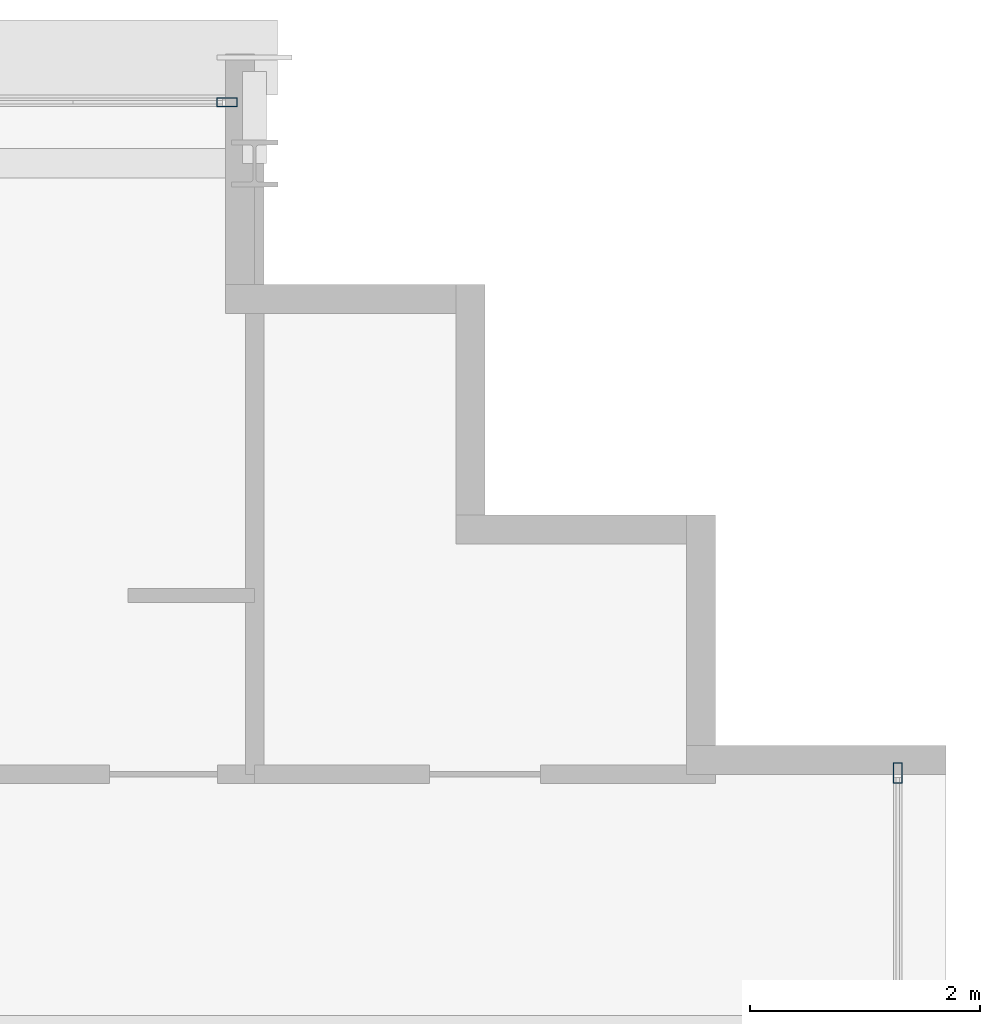
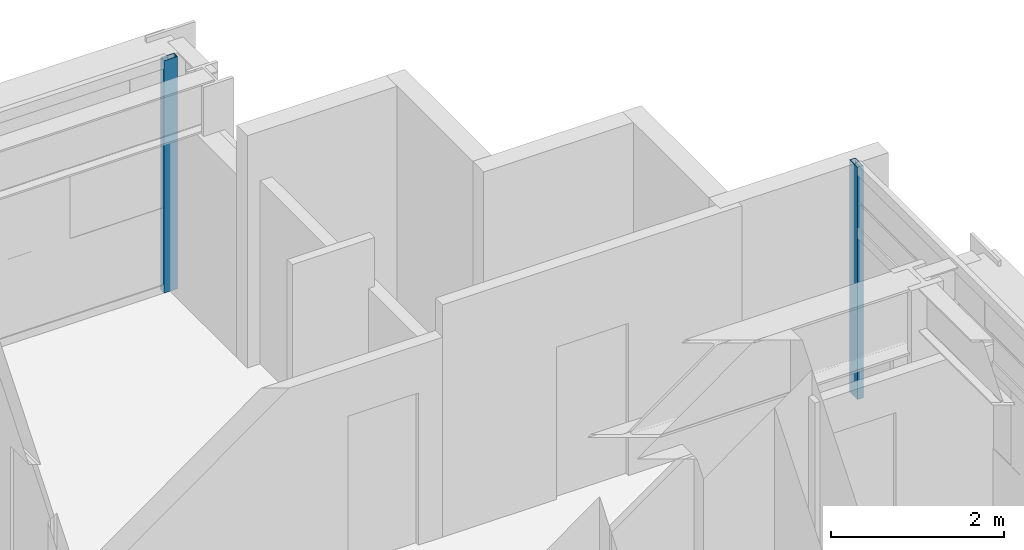
# One storey, part 19 of 32: 2 members, 2 elements without a shape of their own.
"""IFC4 building model written with IfcOpenShell, lengths in metres."""

from ifc_helpers import new_model, si_unit, direction, frame, origin, origin_2d, place, context, subcontext, project, spatial, hollow_rectangle, extrude, source, transform, mapped, material, layer, layer_set, material_profile, profile_set, type_object, element, aggregate, save


model = new_model("IFC4")

# Units and contexts
model_context = context("Model", 3, precision=1e-05, world=origin(), true_north=direction((0.0, 1.0)))
body_context = subcontext(model_context, "Body", "Model", "MODEL_VIEW")
ifc_project = project(units=[si_unit("LENGTHUNIT", "METRE"), si_unit("AREAUNIT", "SQUARE_METRE"), si_unit("VOLUMEUNIT", "CUBIC_METRE"), si_unit("PLANEANGLEUNIT", "RADIAN"), si_unit("MASSUNIT", "GRAM", prefix="KILO")], contexts=[model_context])

# Site, building, storey
site_placement = place(None, origin())
site = spatial("IfcSite", under=ifc_project, at=site_placement, CompositionType="ELEMENT")
building_placement = place(site_placement, origin())
building = spatial("IfcBuilding", under=site, at=building_placement, Name="Ocotamira Hotel", CompositionType="ELEMENT")
storey_placement = place(building_placement, frame((0.0, 0.0, 217.199951171875)))
storey = spatial("IfcBuildingStorey", under=building, at=storey_placement, Name="L55", CompositionType="ELEMENT", Elevation=217.199951171875)

# Curtain wall, member
ifc_material_1 = material(Name="Anodised pale-metal aluminium and solar glass", Category="aluminium")
ifc_layer = layer(ifc_material_1, 0.199951171875)
ifc_layer_set = layer_set([ifc_layer], Name="Anodised pale-metal aluminium and solar glass")
curtain_wall_type = type_object("IfcCurtainWallType", Name="CW-SYS4-Z3", PredefinedType="NOTDEFINED", material=ifc_layer_set)
curtain_wall_1_placement = place(storey_placement, origin())
curtain_wall_1 = element("IfcCurtainWall", 1, at=curtain_wall_1_placement, inside=storey, type_object=curtain_wall_type, Name="L55 Curtain Wall CW-4 CW-L55-N", PredefinedType="NOTDEFINED")
ifc_material_2 = material(Name="Anodised pale-metal aluminium 6063-T6", Category="aluminium")
ifc_material_profile = material_profile(ifc_material_2, hollow_rectangle(XDim=0.080078125, YDim=0.179931640625, WallThickness=0.006103515625, at=origin_2d()), Name="HSS180X80X6")
ifc_profile_set = profile_set([ifc_material_profile], Name="Anodised pale-metal aluminium 6063-T6")
member_type = type_object("IfcMemberType", Name="CWM-180X75", PredefinedType="MULLION", material=ifc_profile_set)
shared_shape = source(origin(), body_context, "Body", "SweptSolid", [
    extrude(hollow_rectangle(XDim=0.080078125, YDim=0.179931640625, WallThickness=0.006103515625, at=origin_2d()), origin(), (0.0, 0.0, 1.0), 3.280029296875),
])
member_1_placement = place(storey_placement, frame((49.760009765625, 45.580078125, 0.0), z_axis=(0.0, 0.0, 1.0), x_axis=(0.0, 1.0, 0.0)))
member_1 = element("IfcMember", 2, at=member_1_placement, type_object=member_type, Name="CW-4 mullion 10", PredefinedType="MULLION", context=body_context, shape_type="MappedRepresentation", body=[
    mapped(shared_shape, transform((0.0, 0.0, 0.0), scale=1.0)),
])
aggregate(curtain_wall_1, [member_1])

curtain_wall_2_placement = place(storey_placement, origin())
curtain_wall_2 = element("IfcCurtainWall", 3, at=curtain_wall_2_placement, inside=storey, type_object=curtain_wall_type, Name="L55 Curtain Wall CW-4 CW-L55-E", PredefinedType="NOTDEFINED")
member_2_placement = place(storey_placement, frame((55.580078125, 39.760009765625, 0.0), z_axis=(0.0, 0.0, 1.0), x_axis=(-1.0, 0.0, 0.0)))
member_2 = element("IfcMember", 4, at=member_2_placement, type_object=member_type, Name="CW-4 mullion 6", PredefinedType="MULLION", context=body_context, shape_type="MappedRepresentation", body=[
    mapped(shared_shape, transform((0.0, 0.0, 0.0), scale=1.0)),
])
aggregate(curtain_wall_2, [member_2])

save(model, "model.ifc")
